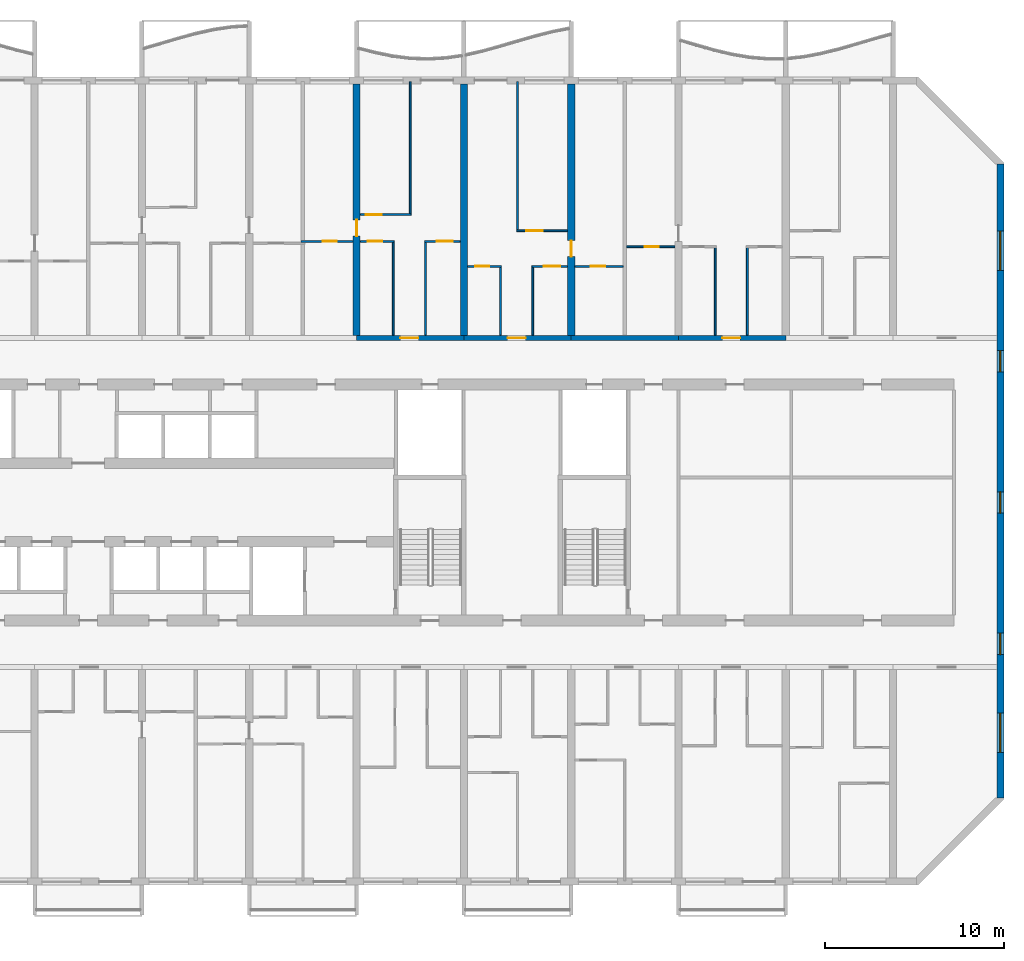
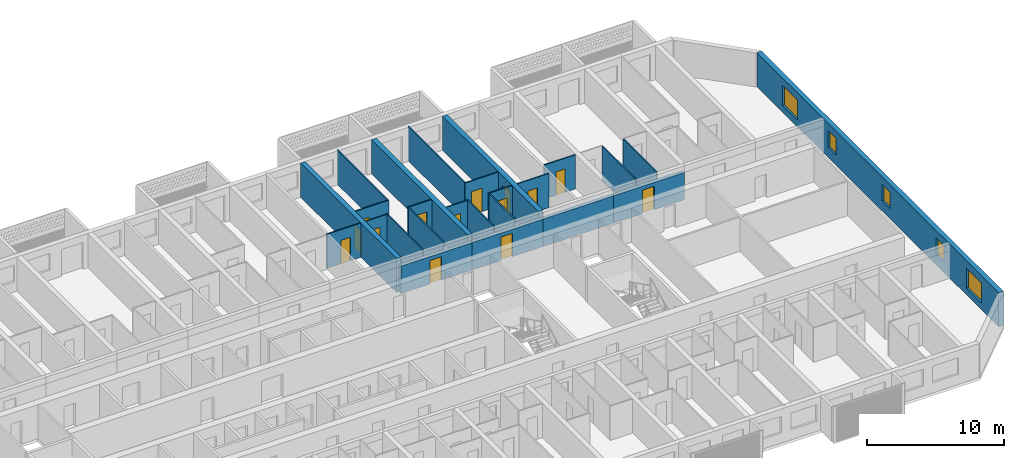
# One storey, part 16 of 38: 25 walls, 14 doors, 5 windows, 19 openings.
"""IFC4 building model written with IfcOpenShell, lengths in metres."""

from ifc_helpers import new_model, si_unit, direction, frame, frame_2d, origin, place, context, subcontext, project, spatial, rectangle, extrude, material, layer, layer_set, type_object, element, fill, save


model = new_model("IFC4")

# Units and contexts
model_context = context("Model", 3, precision=1e-05, world=origin(), true_north=direction((0.0, 1.0)))
body_context = subcontext(model_context, "Body", "Model", "MODEL_VIEW")
ifc_project = project(units=[si_unit("LENGTHUNIT", "METRE"), si_unit("AREAUNIT", "SQUARE_METRE"), si_unit("VOLUMEUNIT", "CUBIC_METRE"), si_unit("PLANEANGLEUNIT", "RADIAN"), si_unit("MASSUNIT", "GRAM", prefix="KILO")], contexts=[model_context])

# Site, building, storey
site_placement = place(None, origin())
site = spatial("IfcSite", under=ifc_project, at=site_placement, CompositionType="ELEMENT")
building_placement = place(site_placement, origin())
building = spatial("IfcBuilding", under=site, at=building_placement, Name="Poui Terraces", CompositionType="ELEMENT")
storey_placement = place(building_placement, frame((0.0, 0.0, 43.199951171875)))
storey = spatial("IfcBuildingStorey", under=building, at=storey_placement, Name="L11", CompositionType="ELEMENT", Elevation=43.199951171875)

# Wall, opening, door
ifc_material_1 = material(Name="Concrete 80 MPa", Category="concrete")
ifc_layer_1 = layer(ifc_material_1, 0.300048828125)
ifc_layer_set_1 = layer_set([ifc_layer_1], Name="Concrete 80 MPa")
wall_type_1 = type_object("IfcWallType", Name="CORRIDOR WALL 300 80MPa", PredefinedType="SHEAR", material=ifc_layer_set_1)
wall_1_placement = place(storey_placement, frame((66.0, 30.39990234375, 0.0), z_axis=(0.0, 0.0, 1.0), x_axis=(1.0, 0.0, 0.0)))
wall_1 = element("IfcWall", 1, at=wall_1_placement, inside=storey, type_object=wall_type_1, Name="CORRIDOR WALL LINE E BAY 12", PredefinedType="SHEAR", context=body_context, shape_type="SweptSolid", body=[
    extrude(rectangle(XDim=6.0, YDim=0.300048828125, at=frame_2d((3.0, 0.0))), origin(), (0.0, 0.0, 1.0), 2.449951171875),
])
opening_1_placement = place(wall_1_placement, frame((2.449951171875, 0.0, 0.0)))
opening_1 = element("IfcOpeningElement", 2, at=opening_1_placement, cuts=wall_1, Name="Opening FD30S", PredefinedType="OPENING", context=body_context, shape_type="SweptSolid", body=[
    extrude(rectangle(XDim=1.0, YDim=2.10009765625, at=frame_2d((0.5, 1.050048828125))), frame((0.0, 0.16015625, 0.0), z_axis=(0.0, -1.0, 0.0), x_axis=(1.0, 0.0, 0.0)), (0.0, 0.0, 1.0), 0.320068359375),
])
ifc_material_2 = material(Name="Steel fire door", Category="steel")
door_type_1 = type_object("IfcDoorType", Name="FLAT ENTRANCE DOOR 1000 X 2100", OperationType="NOTDEFINED", PredefinedType="DOOR", material=ifc_material_2)
door_1_placement = place(opening_1_placement, origin())
door_1 = element("IfcDoor", 3, at=door_1_placement, inside=storey, type_object=door_type_1, Name="FLAT ENTRANCE DOOR 073", OperationType="SINGLE_SWING_LEFT", OverallHeight=2.10009765625, OverallWidth=1.0, PredefinedType="DOOR", context=body_context, shape_type="SweptSolid", body=[
    extrude(rectangle(XDim=1.0, YDim=2.10009765625, at=frame_2d((0.5, 1.050048828125))), frame((0.0, 0.02490234375, 0.0), z_axis=(0.0, -1.0, 0.0), x_axis=(1.0, 0.0, 0.0)), (0.0, 0.0, 1.0), 0.050048828125),
])
fill(opening_1, door_1)

wall_2_placement = place(storey_placement, frame((72.0, 30.39990234375, 0.0), z_axis=(0.0, 0.0, 1.0), x_axis=(1.0, 0.0, 0.0)))
wall_2 = element("IfcWall", 4, at=wall_2_placement, inside=storey, type_object=wall_type_1, Name="CORRIDOR WALL LINE E BAY 13", PredefinedType="SHEAR", context=body_context, shape_type="SweptSolid", body=[
    extrude(rectangle(XDim=6.0, YDim=0.300048828125, at=frame_2d((3.0, 0.0))), origin(), (0.0, 0.0, 1.0), 2.449951171875),
])
opening_2_placement = place(wall_2_placement, frame((2.449951171875, 0.0, 0.0)))
opening_2 = element("IfcOpeningElement", 5, at=opening_2_placement, cuts=wall_2, Name="Opening FD30S", PredefinedType="OPENING", context=body_context, shape_type="SweptSolid", body=[
    extrude(rectangle(XDim=1.0, YDim=2.10009765625, at=frame_2d((0.5, 1.050048828125))), frame((0.0, 0.16015625, 0.0), z_axis=(0.0, -1.0, 0.0), x_axis=(1.0, 0.0, 0.0)), (0.0, 0.0, 1.0), 0.320068359375),
])
door_2_placement = place(opening_2_placement, origin())
door_2 = element("IfcDoor", 6, at=door_2_placement, inside=storey, type_object=door_type_1, Name="FLAT ENTRANCE DOOR 077", OperationType="SINGLE_SWING_LEFT", OverallHeight=2.10009765625, OverallWidth=1.0, PredefinedType="DOOR", context=body_context, shape_type="SweptSolid", body=[
    extrude(rectangle(XDim=1.0, YDim=2.10009765625, at=frame_2d((0.5, 1.050048828125))), frame((0.0, 0.02490234375, 0.0), z_axis=(0.0, -1.0, 0.0), x_axis=(1.0, 0.0, 0.0)), (0.0, 0.0, 1.0), 0.050048828125),
])
fill(opening_2, door_2)

# Wall
wall_3_placement = place(storey_placement, frame((78.0, 30.39990234375, 0.0), z_axis=(0.0, 0.0, 1.0), x_axis=(1.0, 0.0, 0.0)))
element("IfcWall", 7, at=wall_3_placement, inside=storey, type_object=wall_type_1, Name="CORRIDOR WALL LINE E BAY 14", PredefinedType="SHEAR", context=body_context, shape_type="SweptSolid", body=[
    extrude(rectangle(XDim=6.0, YDim=0.300048828125, at=frame_2d((3.0, 0.0))), origin(), (0.0, 0.0, 1.0), 2.449951171875),
])

# Wall, opening, door
wall_4_placement = place(storey_placement, frame((84.0, 30.39990234375, 0.0), z_axis=(0.0, 0.0, 1.0), x_axis=(1.0, 0.0, 0.0)))
wall_4 = element("IfcWall", 8, at=wall_4_placement, inside=storey, type_object=wall_type_1, Name="CORRIDOR WALL LINE E BAY 15", PredefinedType="SHEAR", context=body_context, shape_type="SweptSolid", body=[
    extrude(rectangle(XDim=6.0, YDim=0.300048828125, at=frame_2d((3.0, 0.0))), origin(), (0.0, 0.0, 1.0), 2.449951171875),
])
opening_3_placement = place(wall_4_placement, frame((2.449951171875, 0.0, 0.0)))
opening_3 = element("IfcOpeningElement", 9, at=opening_3_placement, cuts=wall_4, Name="Opening FD30S", PredefinedType="OPENING", context=body_context, shape_type="SweptSolid", body=[
    extrude(rectangle(XDim=1.0, YDim=2.10009765625, at=frame_2d((0.5, 1.050048828125))), frame((0.0, 0.16015625, 0.0), z_axis=(0.0, -1.0, 0.0), x_axis=(1.0, 0.0, 0.0)), (0.0, 0.0, 1.0), 0.320068359375),
])
door_3_placement = place(opening_3_placement, origin())
door_3 = element("IfcDoor", 10, at=door_3_placement, inside=storey, type_object=door_type_1, Name="FLAT ENTRANCE DOOR 084", OperationType="SINGLE_SWING_LEFT", OverallHeight=2.10009765625, OverallWidth=1.0, PredefinedType="DOOR", context=body_context, shape_type="SweptSolid", body=[
    extrude(rectangle(XDim=1.0, YDim=2.10009765625, at=frame_2d((0.5, 1.050048828125))), frame((0.0, 0.02490234375, 0.0), z_axis=(0.0, -1.0, 0.0), x_axis=(1.0, 0.0, 0.0)), (0.0, 0.0, 1.0), 0.050048828125),
])
fill(opening_3, door_3)

ifc_layer_2 = layer(ifc_material_1, 0.39990234375)
ifc_layer_set_2 = layer_set([ifc_layer_2], Name="Concrete 80 MPa")
wall_type_2 = type_object("IfcWallType", Name="CROSS WALL 400 80MPa", PredefinedType="SHEAR", material=ifc_layer_set_2)
wall_5_placement = place(storey_placement, frame((66.0, 30.550048828125, 0.0), z_axis=(0.0, 0.0, 1.0), x_axis=(0.0, 1.0, 0.0)))
wall_5 = element("IfcWall", 11, at=wall_5_placement, inside=storey, type_object=wall_type_2, Name="CROSS WALL LINE 12 NORTH", PredefinedType="SHEAR", context=body_context, shape_type="SweptSolid", body=[
    extrude(rectangle(XDim=14.050048828125, YDim=0.39990234375, at=frame_2d((7.02490234375, 0.0))), origin(), (0.0, 0.0, 1.0), 3.050048828125),
])
opening_4_placement = place(wall_5_placement, frame((5.550048828125, 0.0, 0.0)))
opening_4 = element("IfcOpeningElement", 12, at=opening_4_placement, cuts=wall_5, Name="Opening D90", PredefinedType="OPENING", context=body_context, shape_type="SweptSolid", body=[
    extrude(rectangle(XDim=0.89990234375, YDim=2.10009765625, at=frame_2d((0.449951171875, 1.050048828125))), frame((0.0, 0.2099609375, 0.0), z_axis=(0.0, -1.0, 0.0), x_axis=(1.0, 0.0, 0.0)), (0.0, 0.0, 1.0), 0.419921875),
])
ifc_material_3 = material(Name="Solid core timber door", Category="wood")
door_type_2 = type_object("IfcDoorType", Name="INTERNAL DOOR 900 X 2100", OperationType="NOTDEFINED", PredefinedType="DOOR", material=ifc_material_3)
door_4_placement = place(opening_4_placement, origin())
door_4 = element("IfcDoor", 13, at=door_4_placement, inside=storey, type_object=door_type_2, Name="INTERNAL DOOR 070", OperationType="SINGLE_SWING_LEFT", OverallHeight=2.10009765625, OverallWidth=0.89990234375, PredefinedType="DOOR", context=body_context, shape_type="SweptSolid", body=[
    extrude(rectangle(XDim=0.89990234375, YDim=2.10009765625, at=frame_2d((0.449951171875, 1.050048828125))), frame((0.0, 0.02490234375, 0.0), z_axis=(0.0, -1.0, 0.0), x_axis=(1.0, 0.0, 0.0)), (0.0, 0.0, 1.0), 0.050048828125),
])
fill(opening_4, door_4)

# Wall
wall_6_placement = place(storey_placement, frame((72.0, 30.550048828125, 0.0), z_axis=(0.0, 0.0, 1.0), x_axis=(0.0, 1.0, 0.0)))
element("IfcWall", 14, at=wall_6_placement, inside=storey, type_object=wall_type_2, Name="CROSS WALL LINE 13 NORTH", PredefinedType="SHEAR", context=body_context, shape_type="SweptSolid", body=[
    extrude(rectangle(XDim=14.050048828125, YDim=0.39990234375, at=frame_2d((7.02490234375, 0.0))), origin(), (0.0, 0.0, 1.0), 3.050048828125),
])

# Wall, opening, door
wall_7_placement = place(storey_placement, frame((78.0, 30.550048828125, 0.0), z_axis=(0.0, 0.0, 1.0), x_axis=(0.0, 1.0, 0.0)))
wall_7 = element("IfcWall", 15, at=wall_7_placement, inside=storey, type_object=wall_type_2, Name="CROSS WALL LINE 14 NORTH", PredefinedType="SHEAR", context=body_context, shape_type="SweptSolid", body=[
    extrude(rectangle(XDim=14.050048828125, YDim=0.39990234375, at=frame_2d((7.02490234375, 0.0))), origin(), (0.0, 0.0, 1.0), 3.050048828125),
])
opening_5_placement = place(wall_7_placement, frame((4.39990234375, 0.0, 0.0)))
opening_5 = element("IfcOpeningElement", 16, at=opening_5_placement, cuts=wall_7, Name="Opening D90", PredefinedType="OPENING", context=body_context, shape_type="SweptSolid", body=[
    extrude(rectangle(XDim=0.89990234375, YDim=2.10009765625, at=frame_2d((0.449951171875, 1.050048828125))), frame((0.0, 0.2099609375, 0.0), z_axis=(0.0, -1.0, 0.0), x_axis=(1.0, 0.0, 0.0)), (0.0, 0.0, 1.0), 0.419921875),
])
door_5_placement = place(opening_5_placement, frame((0.89990234375, 0.0, 0.0), z_axis=(0.0, 0.0, 1.0), x_axis=(-1.0, 0.0, 0.0)))
door_5 = element("IfcDoor", 17, at=door_5_placement, inside=storey, type_object=door_type_2, Name="INTERNAL DOOR 080", OperationType="SINGLE_SWING_RIGHT", OverallHeight=2.10009765625, OverallWidth=0.89990234375, PredefinedType="DOOR", context=body_context, shape_type="SweptSolid", body=[
    extrude(rectangle(XDim=0.89990234375, YDim=2.10009765625, at=frame_2d((0.449951171875, 1.050048828125))), frame((0.0, 0.02490234375, 0.0), z_axis=(0.0, -1.0, 0.0), x_axis=(1.0, 0.0, 0.0)), (0.0, 0.0, 1.0), 0.050048828125),
])
fill(opening_5, door_5)

# Wall, openings, windows
ifc_layer_3 = layer(ifc_material_1, 0.39990234375)
ifc_layer_set_3 = layer_set([ifc_layer_3], Name="Concrete 80 MPa")
wall_type_3 = type_object("IfcWallType", Name="END WALL 400 80MPa", PredefinedType="SHEAR", material=ifc_layer_set_3)
wall_8_placement = place(storey_placement, frame((102.0, 4.682861328125, 0.0), z_axis=(0.0, 0.0, 1.0), x_axis=(0.0, 1.0, 0.0)))
wall_8 = element("IfcWall", 18, at=wall_8_placement, inside=storey, type_object=wall_type_3, Name="END WALL EAST", PredefinedType="SHEAR", context=body_context, shape_type="SweptSolid", body=[
    extrude(rectangle(XDim=35.434326171875, YDim=0.39990234375, at=frame_2d((17.71728515625, 0.0))), origin(), (0.0, 0.0, 1.0), 3.050048828125),
])
opening_6_placement = place(wall_8_placement, frame((15.917236328125, 0.0, 0.89990234375)))
opening_6 = element("IfcOpeningElement", 19, at=opening_6_placement, cuts=wall_8, Name="Opening W2", PredefinedType="OPENING", context=body_context, shape_type="SweptSolid", body=[
    extrude(rectangle(XDim=1.199951171875, YDim=1.5, at=frame_2d((0.60009765625, 0.75))), frame((0.0, 0.2099609375, 0.0), z_axis=(0.0, -1.0, 0.0), x_axis=(1.0, 0.0, 0.0)), (0.0, 0.0, 1.0), 0.419921875),
])
opening_7_placement = place(wall_8_placement, frame((23.817138671875, 0.0, 0.89990234375)))
opening_7 = element("IfcOpeningElement", 20, at=opening_7_placement, cuts=wall_8, Name="Opening W2", PredefinedType="OPENING", context=body_context, shape_type="SweptSolid", body=[
    extrude(rectangle(XDim=1.199951171875, YDim=1.5, at=frame_2d((0.60009765625, 0.75))), frame((0.0, 0.2099609375, 0.0), z_axis=(0.0, -1.0, 0.0), x_axis=(1.0, 0.0, 0.0)), (0.0, 0.0, 1.0), 0.419921875),
])
opening_8_placement = place(wall_8_placement, frame((8.01708984375, 0.0, 0.89990234375)))
opening_8 = element("IfcOpeningElement", 21, at=opening_8_placement, cuts=wall_8, Name="Opening W2", PredefinedType="OPENING", context=body_context, shape_type="SweptSolid", body=[
    extrude(rectangle(XDim=1.199951171875, YDim=1.5, at=frame_2d((0.60009765625, 0.75))), frame((0.0, 0.2099609375, 0.0), z_axis=(0.0, -1.0, 0.0), x_axis=(1.0, 0.0, 0.0)), (0.0, 0.0, 1.0), 0.419921875),
])
opening_9_placement = place(wall_8_placement, frame((29.493408203125, 0.0, 0.60009765625)))
opening_9 = element("IfcOpeningElement", 22, at=opening_9_placement, cuts=wall_8, Name="Opening W3", PredefinedType="OPENING", context=body_context, shape_type="SweptSolid", body=[
    extrude(rectangle(XDim=2.199951171875, YDim=1.800048828125, at=frame_2d((1.10009765625, 0.89990234375))), frame((0.0, 0.2099609375, 0.0), z_axis=(0.0, -1.0, 0.0), x_axis=(1.0, 0.0, 0.0)), (0.0, 0.0, 1.0), 0.419921875),
])
opening_10_placement = place(wall_8_placement, frame((2.541015625, 0.0, 0.60009765625)))
opening_10 = element("IfcOpeningElement", 23, at=opening_10_placement, cuts=wall_8, Name="Opening W3", PredefinedType="OPENING", context=body_context, shape_type="SweptSolid", body=[
    extrude(rectangle(XDim=2.199951171875, YDim=1.800048828125, at=frame_2d((1.10009765625, 0.89990234375))), frame((0.0, 0.2099609375, 0.0), z_axis=(0.0, -1.0, 0.0), x_axis=(1.0, 0.0, 0.0)), (0.0, 0.0, 1.0), 0.419921875),
])
ifc_material_4 = material(Name="Clear glass in aluminium frame", Category="aluminium")
window_type_1 = type_object("IfcWindowType", Name="WINDOW 1200X1500", PartitioningType="SINGLE_PANEL", PredefinedType="WINDOW", material=ifc_material_4)
window_1_placement = place(opening_6_placement, origin())
window_1 = element("IfcWindow", 24, at=window_1_placement, inside=storey, type_object=window_type_1, Name="W2 WINDOW", OverallHeight=1.5, OverallWidth=1.199951171875, PartitioningType="SINGLE_PANEL", PredefinedType="WINDOW", context=body_context, shape_type="SweptSolid", body=[
    extrude(rectangle(XDim=1.199951171875, YDim=1.5, at=frame_2d((0.60009765625, 0.75))), frame((0.0, 0.030029296875, 0.0), z_axis=(0.0, -1.0, 0.0), x_axis=(1.0, 0.0, 0.0)), (0.0, 0.0, 1.0), 0.06005859375),
])
fill(opening_6, window_1)
window_2_placement = place(opening_7_placement, origin())
window_2 = element("IfcWindow", 25, at=window_2_placement, inside=storey, type_object=window_type_1, Name="W2 WINDOW", OverallHeight=1.5, OverallWidth=1.199951171875, PartitioningType="SINGLE_PANEL", PredefinedType="WINDOW", context=body_context, shape_type="SweptSolid", body=[
    extrude(rectangle(XDim=1.199951171875, YDim=1.5, at=frame_2d((0.60009765625, 0.75))), frame((0.0, 0.030029296875, 0.0), z_axis=(0.0, -1.0, 0.0), x_axis=(1.0, 0.0, 0.0)), (0.0, 0.0, 1.0), 0.06005859375),
])
fill(opening_7, window_2)
window_3_placement = place(opening_8_placement, origin())
window_3 = element("IfcWindow", 26, at=window_3_placement, inside=storey, type_object=window_type_1, Name="W2 WINDOW", OverallHeight=1.5, OverallWidth=1.199951171875, PartitioningType="SINGLE_PANEL", PredefinedType="WINDOW", context=body_context, shape_type="SweptSolid", body=[
    extrude(rectangle(XDim=1.199951171875, YDim=1.5, at=frame_2d((0.60009765625, 0.75))), frame((0.0, 0.030029296875, 0.0), z_axis=(0.0, -1.0, 0.0), x_axis=(1.0, 0.0, 0.0)), (0.0, 0.0, 1.0), 0.06005859375),
])
fill(opening_8, window_3)
window_type_2 = type_object("IfcWindowType", Name="WINDOW 2200X1800", PartitioningType="DOUBLE_PANEL_HORIZONTAL", PredefinedType="WINDOW", material=ifc_material_4)
window_4_placement = place(opening_9_placement, origin())
window_4 = element("IfcWindow", 27, at=window_4_placement, inside=storey, type_object=window_type_2, Name="W3 WINDOW", OverallHeight=1.800048828125, OverallWidth=2.199951171875, PartitioningType="DOUBLE_PANEL_HORIZONTAL", PredefinedType="WINDOW", context=body_context, shape_type="SweptSolid", body=[
    extrude(rectangle(XDim=2.199951171875, YDim=1.800048828125, at=frame_2d((1.10009765625, 0.89990234375))), frame((0.0, 0.030029296875, 0.0), z_axis=(0.0, -1.0, 0.0), x_axis=(1.0, 0.0, 0.0)), (0.0, 0.0, 1.0), 0.06005859375),
])
fill(opening_9, window_4)
window_5_placement = place(opening_10_placement, origin())
window_5 = element("IfcWindow", 28, at=window_5_placement, inside=storey, type_object=window_type_2, Name="W3 WINDOW", OverallHeight=1.800048828125, OverallWidth=2.199951171875, PartitioningType="DOUBLE_PANEL_HORIZONTAL", PredefinedType="WINDOW", context=body_context, shape_type="SweptSolid", body=[
    extrude(rectangle(XDim=2.199951171875, YDim=1.800048828125, at=frame_2d((1.10009765625, 0.89990234375))), frame((0.0, 0.030029296875, 0.0), z_axis=(0.0, -1.0, 0.0), x_axis=(1.0, 0.0, 0.0)), (0.0, 0.0, 1.0), 0.06005859375),
])
fill(opening_10, window_5)

# Wall, opening, door
ifc_material_5 = material(Name="Plasterboard partition")
ifc_layer_4 = layer(ifc_material_5, 0.10009765625)
ifc_layer_set_4 = layer_set([ifc_layer_4], Name="Plasterboard partition")
wall_type_4 = type_object("IfcWallType", Name="FLAT PARTITION 100", PredefinedType="PARTITIONING", material=ifc_layer_set_4)
wall_9_placement = place(storey_placement, frame((72.2099609375, 34.39990234375, 0.0), z_axis=(0.0, 0.0, 1.0), x_axis=(1.0, 0.0, 0.0)))
wall_9 = element("IfcWall", 29, at=wall_9_placement, inside=storey, type_object=wall_type_4, Name="FLAT PARTITION 100", PredefinedType="PARTITIONING", context=body_context, shape_type="SweptSolid", body=[
    extrude(rectangle(XDim=1.89013671875, YDim=0.10009765625, at=frame_2d((0.945068359375, 0.0))), origin(), (0.0, 0.0, 1.0), 3.050048828125),
])
opening_11_placement = place(wall_9_placement, frame((0.4150390625, 0.0, 0.0)))
opening_11 = element("IfcOpeningElement", 30, at=opening_11_placement, cuts=wall_9, Name="Opening D80", PredefinedType="OPENING", context=body_context, shape_type="SweptSolid", body=[
    extrude(rectangle(XDim=0.800048828125, YDim=2.10009765625, at=frame_2d((0.39990234375, 1.050048828125))), frame((0.0, 0.06005859375, 0.0), z_axis=(0.0, -1.0, 0.0), x_axis=(1.0, 0.0, 0.0)), (0.0, 0.0, 1.0), 0.1201171875),
])
door_type_3 = type_object("IfcDoorType", Name="BATHROOM, LAUNDRY AND STORE DOOR 800 X 2100", OperationType="NOTDEFINED", PredefinedType="DOOR", material=ifc_material_3)
door_6_placement = place(opening_11_placement, frame((0.800048828125, 0.0, 0.0), z_axis=(0.0, 0.0, 1.0), x_axis=(-1.0, 0.0, 0.0)))
door_6 = element("IfcDoor", 31, at=door_6_placement, inside=storey, type_object=door_type_3, Name="BATHROOM, LAUNDRY AND STORE DOOR 076", OperationType="SINGLE_SWING_LEFT", OverallHeight=2.10009765625, OverallWidth=0.800048828125, PredefinedType="DOOR", context=body_context, shape_type="SweptSolid", body=[
    extrude(rectangle(XDim=0.800048828125, YDim=2.10009765625, at=frame_2d((0.39990234375, 1.050048828125))), frame((0.0, 0.02490234375, 0.0), z_axis=(0.0, -1.0, 0.0), x_axis=(1.0, 0.0, 0.0)), (0.0, 0.0, 1.0), 0.050048828125),
])
fill(opening_11, door_6)

wall_10_placement = place(storey_placement, frame((75.800048828125, 34.39990234375, 0.0), z_axis=(0.0, 0.0, 1.0), x_axis=(1.0, 0.0, 0.0)))
wall_10 = element("IfcWall", 32, at=wall_10_placement, inside=storey, type_object=wall_type_4, Name="FLAT PARTITION 100", PredefinedType="PARTITIONING", context=body_context, shape_type="SweptSolid", body=[
    extrude(rectangle(XDim=1.989990234375, YDim=0.10009765625, at=frame_2d((0.9951171875, 0.0))), origin(), (0.0, 0.0, 1.0), 3.050048828125),
])
opening_12_placement = place(wall_10_placement, frame((0.675048828125, 0.0, 0.0)))
opening_12 = element("IfcOpeningElement", 33, at=opening_12_placement, cuts=wall_10, Name="Opening D90", PredefinedType="OPENING", context=body_context, shape_type="SweptSolid", body=[
    extrude(rectangle(XDim=0.89990234375, YDim=2.10009765625, at=frame_2d((0.449951171875, 1.050048828125))), frame((0.0, 0.06005859375, 0.0), z_axis=(0.0, -1.0, 0.0), x_axis=(1.0, 0.0, 0.0)), (0.0, 0.0, 1.0), 0.1201171875),
])
door_7_placement = place(opening_12_placement, frame((0.89990234375, 0.0, 0.0), z_axis=(0.0, 0.0, 1.0), x_axis=(-1.0, 0.0, 0.0)))
door_7 = element("IfcDoor", 34, at=door_7_placement, inside=storey, type_object=door_type_2, Name="INTERNAL DOOR 079", OperationType="SINGLE_SWING_RIGHT", OverallHeight=2.10009765625, OverallWidth=0.89990234375, PredefinedType="DOOR", context=body_context, shape_type="SweptSolid", body=[
    extrude(rectangle(XDim=0.89990234375, YDim=2.10009765625, at=frame_2d((0.449951171875, 1.050048828125))), frame((0.0, 0.02490234375, 0.0), z_axis=(0.0, -1.0, 0.0), x_axis=(1.0, 0.0, 0.0)), (0.0, 0.0, 1.0), 0.050048828125),
])
fill(opening_12, door_7)

wall_11_placement = place(storey_placement, frame((78.2099609375, 34.39990234375, 0.0), z_axis=(0.0, 0.0, 1.0), x_axis=(1.0, 0.0, 0.0)))
wall_11 = element("IfcWall", 35, at=wall_11_placement, inside=storey, type_object=wall_type_4, Name="FLAT PARTITION 100", PredefinedType="PARTITIONING", context=body_context, shape_type="SweptSolid", body=[
    extrude(rectangle(XDim=2.68994140625, YDim=0.10009765625, at=frame_2d((1.344970703125, 0.0))), origin(), (0.0, 0.0, 1.0), 3.050048828125),
])
opening_13_placement = place(wall_11_placement, frame((0.889892578125, 0.0, 0.0)))
opening_13 = element("IfcOpeningElement", 36, at=opening_13_placement, cuts=wall_11, Name="Opening D80", PredefinedType="OPENING", context=body_context, shape_type="SweptSolid", body=[
    extrude(rectangle(XDim=0.800048828125, YDim=2.10009765625, at=frame_2d((0.39990234375, 1.050048828125))), frame((0.0, 0.06005859375, 0.0), z_axis=(0.0, -1.0, 0.0), x_axis=(1.0, 0.0, 0.0)), (0.0, 0.0, 1.0), 0.1201171875),
])
door_8_placement = place(opening_13_placement, frame((0.800048828125, 0.0, 0.0), z_axis=(0.0, 0.0, 1.0), x_axis=(-1.0, 0.0, 0.0)))
door_8 = element("IfcDoor", 37, at=door_8_placement, inside=storey, type_object=door_type_3, Name="BATHROOM, LAUNDRY AND STORE DOOR 075", OperationType="SINGLE_SWING_LEFT", OverallHeight=2.10009765625, OverallWidth=0.800048828125, PredefinedType="DOOR", context=body_context, shape_type="SweptSolid", body=[
    extrude(rectangle(XDim=0.800048828125, YDim=2.10009765625, at=frame_2d((0.39990234375, 1.050048828125))), frame((0.0, 0.02490234375, 0.0), z_axis=(0.0, -1.0, 0.0), x_axis=(1.0, 0.0, 0.0)), (0.0, 0.0, 1.0), 0.050048828125),
])
fill(opening_13, door_8)

wall_12_placement = place(storey_placement, frame((81.10009765625, 35.5, 0.0), z_axis=(0.0, 0.0, 1.0), x_axis=(1.0, 0.0, 0.0)))
wall_12 = element("IfcWall", 38, at=wall_12_placement, inside=storey, type_object=wall_type_4, Name="FLAT PARTITION 100", PredefinedType="PARTITIONING", context=body_context, shape_type="SweptSolid", body=[
    extrude(rectangle(XDim=2.68994140625, YDim=0.10009765625, at=frame_2d((1.344970703125, 0.0))), origin(), (0.0, 0.0, 1.0), 3.050048828125),
])
opening_14_placement = place(wall_12_placement, frame((1.0, 0.0, 0.0)))
opening_14 = element("IfcOpeningElement", 39, at=opening_14_placement, cuts=wall_12, Name="Opening D80", PredefinedType="OPENING", context=body_context, shape_type="SweptSolid", body=[
    extrude(rectangle(XDim=0.800048828125, YDim=2.10009765625, at=frame_2d((0.39990234375, 1.050048828125))), frame((0.0, 0.06005859375, 0.0), z_axis=(0.0, -1.0, 0.0), x_axis=(1.0, 0.0, 0.0)), (0.0, 0.0, 1.0), 0.1201171875),
])
door_9_placement = place(opening_14_placement, frame((0.800048828125, 0.0, 0.0), z_axis=(0.0, 0.0, 1.0), x_axis=(-1.0, 0.0, 0.0)))
door_9 = element("IfcDoor", 40, at=door_9_placement, inside=storey, type_object=door_type_3, Name="BATHROOM, LAUNDRY AND STORE DOOR 081", OperationType="SINGLE_SWING_RIGHT", OverallHeight=2.10009765625, OverallWidth=0.800048828125, PredefinedType="DOOR", context=body_context, shape_type="SweptSolid", body=[
    extrude(rectangle(XDim=0.800048828125, YDim=2.10009765625, at=frame_2d((0.39990234375, 1.050048828125))), frame((0.0, 0.02490234375, 0.0), z_axis=(0.0, -1.0, 0.0), x_axis=(1.0, 0.0, 0.0)), (0.0, 0.0, 1.0), 0.050048828125),
])
fill(opening_14, door_9)

wall_13_placement = place(storey_placement, frame((62.89990234375, 35.800048828125, 0.0), z_axis=(0.0, 0.0, 1.0), x_axis=(1.0, 0.0, 0.0)))
wall_13 = element("IfcWall", 41, at=wall_13_placement, inside=storey, type_object=wall_type_4, Name="FLAT PARTITION 100", PredefinedType="PARTITIONING", context=body_context, shape_type="SweptSolid", body=[
    extrude(rectangle(XDim=2.89013671875, YDim=0.10009765625, at=frame_2d((1.445068359375, 0.0))), origin(), (0.0, 0.0, 1.0), 3.050048828125),
])
opening_15_placement = place(wall_13_placement, frame((1.199951171875, 0.0, 0.0)))
opening_15 = element("IfcOpeningElement", 42, at=opening_15_placement, cuts=wall_13, Name="Opening D80", PredefinedType="OPENING", context=body_context, shape_type="SweptSolid", body=[
    extrude(rectangle(XDim=0.800048828125, YDim=2.10009765625, at=frame_2d((0.39990234375, 1.050048828125))), frame((0.0, 0.06005859375, 0.0), z_axis=(0.0, -1.0, 0.0), x_axis=(1.0, 0.0, 0.0)), (0.0, 0.0, 1.0), 0.1201171875),
])
door_10_placement = place(opening_15_placement, frame((0.800048828125, 0.0, 0.0), z_axis=(0.0, 0.0, 1.0), x_axis=(-1.0, 0.0, 0.0)))
door_10 = element("IfcDoor", 43, at=door_10_placement, inside=storey, type_object=door_type_3, Name="BATHROOM, LAUNDRY AND STORE DOOR 069", OperationType="SINGLE_SWING_RIGHT", OverallHeight=2.10009765625, OverallWidth=0.800048828125, PredefinedType="DOOR", context=body_context, shape_type="SweptSolid", body=[
    extrude(rectangle(XDim=0.800048828125, YDim=2.10009765625, at=frame_2d((0.39990234375, 1.050048828125))), frame((0.0, 0.02490234375, 0.0), z_axis=(0.0, -1.0, 0.0), x_axis=(1.0, 0.0, 0.0)), (0.0, 0.0, 1.0), 0.050048828125),
])
fill(opening_15, door_10)

wall_14_placement = place(storey_placement, frame((66.2099609375, 35.800048828125, 0.0), z_axis=(0.0, 0.0, 1.0), x_axis=(1.0, 0.0, 0.0)))
wall_14 = element("IfcWall", 44, at=wall_14_placement, inside=storey, type_object=wall_type_4, Name="FLAT PARTITION 100", PredefinedType="PARTITIONING", context=body_context, shape_type="SweptSolid", body=[
    extrude(rectangle(XDim=1.89013671875, YDim=0.10009765625, at=frame_2d((0.945068359375, 0.0))), origin(), (0.0, 0.0, 1.0), 3.050048828125),
])
opening_16_placement = place(wall_14_placement, frame((0.4150390625, 0.0, 0.0)))
opening_16 = element("IfcOpeningElement", 45, at=opening_16_placement, cuts=wall_14, Name="Opening D80", PredefinedType="OPENING", context=body_context, shape_type="SweptSolid", body=[
    extrude(rectangle(XDim=0.800048828125, YDim=2.10009765625, at=frame_2d((0.39990234375, 1.050048828125))), frame((0.0, 0.06005859375, 0.0), z_axis=(0.0, -1.0, 0.0), x_axis=(1.0, 0.0, 0.0)), (0.0, 0.0, 1.0), 0.1201171875),
])
door_11_placement = place(opening_16_placement, frame((0.800048828125, 0.0, 0.0), z_axis=(0.0, 0.0, 1.0), x_axis=(-1.0, 0.0, 0.0)))
door_11 = element("IfcDoor", 46, at=door_11_placement, inside=storey, type_object=door_type_3, Name="BATHROOM, LAUNDRY AND STORE DOOR 072", OperationType="SINGLE_SWING_RIGHT", OverallHeight=2.10009765625, OverallWidth=0.800048828125, PredefinedType="DOOR", context=body_context, shape_type="SweptSolid", body=[
    extrude(rectangle(XDim=0.800048828125, YDim=2.10009765625, at=frame_2d((0.39990234375, 1.050048828125))), frame((0.0, 0.02490234375, 0.0), z_axis=(0.0, -1.0, 0.0), x_axis=(1.0, 0.0, 0.0)), (0.0, 0.0, 1.0), 0.050048828125),
])
fill(opening_16, door_11)

wall_15_placement = place(storey_placement, frame((69.800048828125, 35.800048828125, 0.0), z_axis=(0.0, 0.0, 1.0), x_axis=(1.0, 0.0, 0.0)))
wall_15 = element("IfcWall", 47, at=wall_15_placement, inside=storey, type_object=wall_type_4, Name="FLAT PARTITION 100", PredefinedType="PARTITIONING", context=body_context, shape_type="SweptSolid", body=[
    extrude(rectangle(XDim=1.989990234375, YDim=0.10009765625, at=frame_2d((0.9951171875, 0.0))), origin(), (0.0, 0.0, 1.0), 3.050048828125),
])
opening_17_placement = place(wall_15_placement, frame((0.675048828125, 0.0, 0.0)))
opening_17 = element("IfcOpeningElement", 48, at=opening_17_placement, cuts=wall_15, Name="Opening D90", PredefinedType="OPENING", context=body_context, shape_type="SweptSolid", body=[
    extrude(rectangle(XDim=0.89990234375, YDim=2.10009765625, at=frame_2d((0.449951171875, 1.050048828125))), frame((0.0, 0.06005859375, 0.0), z_axis=(0.0, -1.0, 0.0), x_axis=(1.0, 0.0, 0.0)), (0.0, 0.0, 1.0), 0.1201171875),
])
door_12_placement = place(opening_17_placement, frame((0.89990234375, 0.0, 0.0), z_axis=(0.0, 0.0, 1.0), x_axis=(-1.0, 0.0, 0.0)))
door_12 = element("IfcDoor", 49, at=door_12_placement, inside=storey, type_object=door_type_2, Name="INTERNAL DOOR 074", OperationType="SINGLE_SWING_LEFT", OverallHeight=2.10009765625, OverallWidth=0.89990234375, PredefinedType="DOOR", context=body_context, shape_type="SweptSolid", body=[
    extrude(rectangle(XDim=0.89990234375, YDim=2.10009765625, at=frame_2d((0.449951171875, 1.050048828125))), frame((0.0, 0.02490234375, 0.0), z_axis=(0.0, -1.0, 0.0), x_axis=(1.0, 0.0, 0.0)), (0.0, 0.0, 1.0), 0.050048828125),
])
fill(opening_17, door_12)

wall_16_placement = place(storey_placement, frame((74.949951171875, 36.39990234375, 0.0), z_axis=(0.0, 0.0, 1.0), x_axis=(1.0, 0.0, 0.0)))
wall_16 = element("IfcWall", 50, at=wall_16_placement, inside=storey, type_object=wall_type_4, Name="FLAT PARTITION 100", PredefinedType="PARTITIONING", context=body_context, shape_type="SweptSolid", body=[
    extrude(rectangle(XDim=2.840087890625, YDim=0.10009765625, at=frame_2d((1.419921875, 0.0))), origin(), (0.0, 0.0, 1.0), 3.050048828125),
])
opening_18_placement = place(wall_16_placement, frame((0.550048828125, 0.0, 0.0)))
opening_18 = element("IfcOpeningElement", 51, at=opening_18_placement, cuts=wall_16, Name="Opening D90", PredefinedType="OPENING", context=body_context, shape_type="SweptSolid", body=[
    extrude(rectangle(XDim=0.89990234375, YDim=2.10009765625, at=frame_2d((0.449951171875, 1.050048828125))), frame((0.0, 0.06005859375, 0.0), z_axis=(0.0, -1.0, 0.0), x_axis=(1.0, 0.0, 0.0)), (0.0, 0.0, 1.0), 0.1201171875),
])
door_13_placement = place(opening_18_placement, frame((0.89990234375, 0.0, 0.0), z_axis=(0.0, 0.0, 1.0), x_axis=(-1.0, 0.0, 0.0)))
door_13 = element("IfcDoor", 52, at=door_13_placement, inside=storey, type_object=door_type_2, Name="INTERNAL DOOR 078", OperationType="SINGLE_SWING_LEFT", OverallHeight=2.10009765625, OverallWidth=0.89990234375, PredefinedType="DOOR", context=body_context, shape_type="SweptSolid", body=[
    extrude(rectangle(XDim=0.89990234375, YDim=2.10009765625, at=frame_2d((0.449951171875, 1.050048828125))), frame((0.0, 0.02490234375, 0.0), z_axis=(0.0, -1.0, 0.0), x_axis=(1.0, 0.0, 0.0)), (0.0, 0.0, 1.0), 0.050048828125),
])
fill(opening_18, door_13)

wall_17_placement = place(storey_placement, frame((66.2099609375, 37.300048828125, 0.0), z_axis=(0.0, 0.0, 1.0), x_axis=(1.0, 0.0, 0.0)))
wall_17 = element("IfcWall", 53, at=wall_17_placement, inside=storey, type_object=wall_type_4, Name="FLAT PARTITION 100", PredefinedType="PARTITIONING", context=body_context, shape_type="SweptSolid", body=[
    extrude(rectangle(XDim=2.840087890625, YDim=0.10009765625, at=frame_2d((1.419921875, 0.0))), origin(), (0.0, 0.0, 1.0), 3.050048828125),
])
opening_19_placement = place(wall_17_placement, frame((0.2900390625, 0.0, 0.0)))
opening_19 = element("IfcOpeningElement", 54, at=opening_19_placement, cuts=wall_17, Name="Opening D90", PredefinedType="OPENING", context=body_context, shape_type="SweptSolid", body=[
    extrude(rectangle(XDim=0.89990234375, YDim=2.10009765625, at=frame_2d((0.449951171875, 1.050048828125))), frame((0.0, 0.06005859375, 0.0), z_axis=(0.0, -1.0, 0.0), x_axis=(1.0, 0.0, 0.0)), (0.0, 0.0, 1.0), 0.1201171875),
])
door_14_placement = place(opening_19_placement, frame((0.89990234375, 0.0, 0.0), z_axis=(0.0, 0.0, 1.0), x_axis=(-1.0, 0.0, 0.0)))
door_14 = element("IfcDoor", 55, at=door_14_placement, inside=storey, type_object=door_type_2, Name="INTERNAL DOOR 071", OperationType="SINGLE_SWING_LEFT", OverallHeight=2.10009765625, OverallWidth=0.89990234375, PredefinedType="DOOR", context=body_context, shape_type="SweptSolid", body=[
    extrude(rectangle(XDim=0.89990234375, YDim=2.10009765625, at=frame_2d((0.449951171875, 1.050048828125))), frame((0.0, 0.02490234375, 0.0), z_axis=(0.0, -1.0, 0.0), x_axis=(1.0, 0.0, 0.0)), (0.0, 0.0, 1.0), 0.050048828125),
])
fill(opening_19, door_14)

# Walls
wall_18_placement = place(storey_placement, frame((68.050048828125, 30.56005859375, 0.0), z_axis=(0.0, 0.0, 1.0), x_axis=(0.0, 1.0, 0.0)))
element("IfcWall", 56, at=wall_18_placement, inside=storey, type_object=wall_type_4, Name="FLAT PARTITION 100", PredefinedType="PARTITIONING", context=body_context, shape_type="SweptSolid", body=[
    extrude(rectangle(XDim=5.18994140625, YDim=0.10009765625, at=frame_2d((2.594970703125, 0.0))), origin(), (0.0, 0.0, 1.0), 3.050048828125),
])
wall_19_placement = place(storey_placement, frame((69.0, 37.35009765625, 0.0), z_axis=(0.0, 0.0, 1.0), x_axis=(0.0, 1.0, 0.0)))
element("IfcWall", 57, at=wall_19_placement, inside=storey, type_object=wall_type_4, Name="FLAT PARTITION 100", PredefinedType="PARTITIONING", context=body_context, shape_type="SweptSolid", body=[
    extrude(rectangle(XDim=7.389892578125, YDim=0.10009765625, at=frame_2d((3.69482421875, 0.0))), origin(), (0.0, 0.0, 1.0), 3.050048828125),
])
wall_20_placement = place(storey_placement, frame((69.85009765625, 30.56005859375, 0.0), z_axis=(0.0, 0.0, 1.0), x_axis=(0.0, 1.0, 0.0)))
element("IfcWall", 58, at=wall_20_placement, inside=storey, type_object=wall_type_4, Name="FLAT PARTITION 100", PredefinedType="PARTITIONING", context=body_context, shape_type="SweptSolid", body=[
    extrude(rectangle(XDim=5.18994140625, YDim=0.10009765625, at=frame_2d((2.594970703125, 0.0))), origin(), (0.0, 0.0, 1.0), 3.050048828125),
])
wall_21_placement = place(storey_placement, frame((74.050048828125, 30.56005859375, 0.0), z_axis=(0.0, 0.0, 1.0), x_axis=(0.0, 1.0, 0.0)))
element("IfcWall", 59, at=wall_21_placement, inside=storey, type_object=wall_type_4, Name="FLAT PARTITION 100", PredefinedType="PARTITIONING", context=body_context, shape_type="SweptSolid", body=[
    extrude(rectangle(XDim=3.7900390625, YDim=0.10009765625, at=frame_2d((1.89501953125, 0.0))), origin(), (0.0, 0.0, 1.0), 3.050048828125),
])
wall_22_placement = place(storey_placement, frame((75.0, 36.449951171875, 0.0), z_axis=(0.0, 0.0, 1.0), x_axis=(0.0, 1.0, 0.0)))
element("IfcWall", 60, at=wall_22_placement, inside=storey, type_object=wall_type_4, Name="FLAT PARTITION 100", PredefinedType="PARTITIONING", context=body_context, shape_type="SweptSolid", body=[
    extrude(rectangle(XDim=8.2900390625, YDim=0.10009765625, at=frame_2d((4.14501953125, 0.0))), origin(), (0.0, 0.0, 1.0), 3.050048828125),
])
wall_23_placement = place(storey_placement, frame((75.85009765625, 30.56005859375, 0.0), z_axis=(0.0, 0.0, 1.0), x_axis=(0.0, 1.0, 0.0)))
element("IfcWall", 61, at=wall_23_placement, inside=storey, type_object=wall_type_4, Name="FLAT PARTITION 100", PredefinedType="PARTITIONING", context=body_context, shape_type="SweptSolid", body=[
    extrude(rectangle(XDim=3.7900390625, YDim=0.10009765625, at=frame_2d((1.89501953125, 0.0))), origin(), (0.0, 0.0, 1.0), 3.050048828125),
])
for number, where, z_axis, x_axis, name in (
    (62, (86.050048828125, 30.56005859375, 0.0), (0.0, 0.0, 1.0), (0.0, 1.0, 0.0), "FLAT PARTITION 100"),
    (63, (87.85009765625, 30.56005859375, 0.0), (0.0, 0.0, 1.0), (0.0, 1.0, 0.0), "FLAT PARTITION 100"),
):
    element("IfcWall", number, at=place(storey_placement, frame(where, z_axis=z_axis, x_axis=x_axis)), inside=storey, type_object=wall_type_4, Name=name, PredefinedType="PARTITIONING", context=body_context, shape_type="SweptSolid", body=[
        extrude(rectangle(XDim=4.889892578125, YDim=0.10009765625, at=frame_2d((2.44482421875, 0.0))), origin(), (0.0, 0.0, 1.0), 3.050048828125),
    ])

save(model, "model.ifc")
